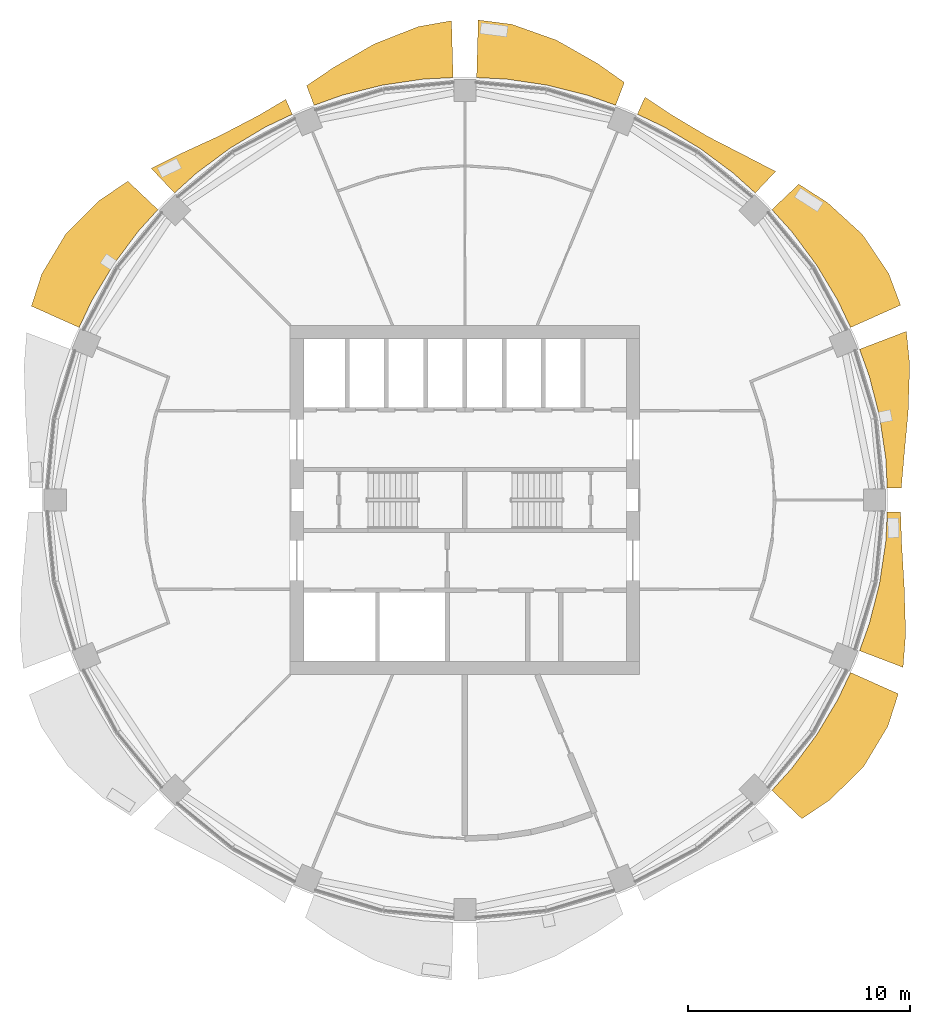
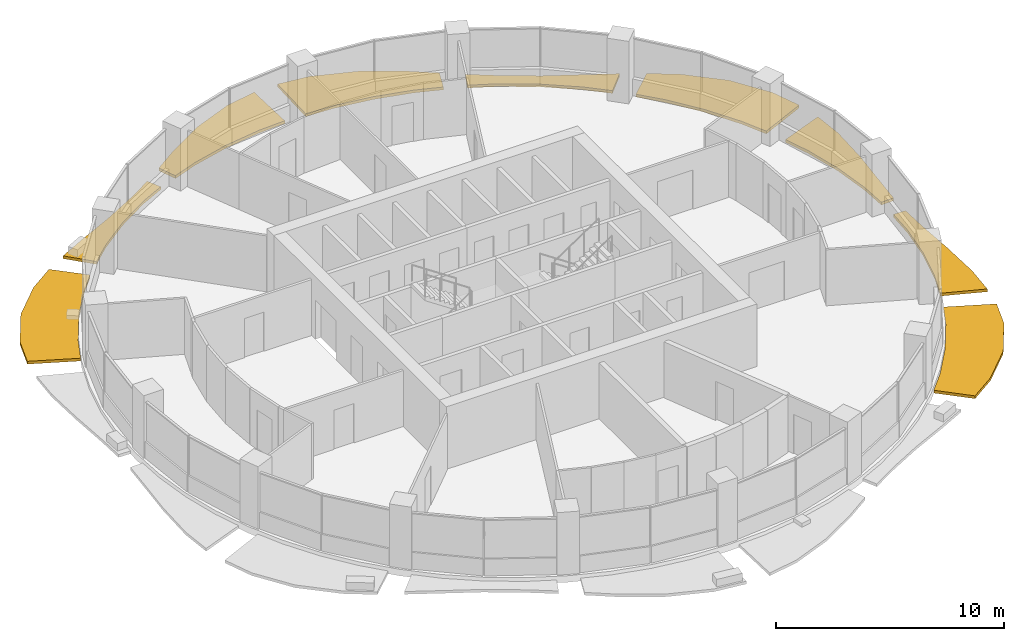
# One storey, part 14 of 15: 9 shading devices.
"""IFC4 building model written with IfcOpenShell, lengths in metres."""

import ifcopenshell
import ifcopenshell.guid

model = None  # the IFC model being written
_history = None  # IfcOwnerHistory: only IFC2X3 demands one
_inside = {}  # id of a spatial element -> (the spatial element, [elements in it])
_under = {}  # id of a project, library or spatial element -> (it, [spatial elements below it])
_declared = {}  # id of a project -> (the project, [libraries it declares])
_typed = {}  # id of a type object -> (the type object, [elements of that type])
_made_of = {}  # id of a material, layer set ... -> (it, [elements and type objects made of it])


def new_model(schema):
    """Start an empty IFC model of exactly this schema.

    Asked for "IFC4X3", IfcOpenShell would pick the latest addendum, in which some entities
    have other attributes; the version numbers below select the first issue.
    IFC2X3 requires an IfcOwnerHistory on every rooted entity: one is made here for all.
    """
    global model, _history
    if schema == "IFC4X3":
        model = ifcopenshell.file(schema_version=(4, 3, 0, 0))
    else:
        model = ifcopenshell.file(schema=schema)
    _inside.clear()
    _under.clear()
    _declared.clear()
    _typed.clear()
    _made_of.clear()
    _history = None
    if model.schema == "IFC2X3":
        org = make("IfcOrganization", Name="unknown")
        user = make(
            "IfcPersonAndOrganization",
            ThePerson=make("IfcPerson", FamilyName="unknown"),
            TheOrganization=org,
        )
        app = make(
            "IfcApplication",
            ApplicationDeveloper=org,
            Version="unknown",
            ApplicationFullName="unknown",
            ApplicationIdentifier="unknown",
        )
        _history = make(
            "IfcOwnerHistory",
            OwningUser=user,
            OwningApplication=app,
            ChangeAction="ADDED",
            CreationDate=0,
        )
    return model


def make(cls, **values):
    """One entity of the class cls with the attributes given. An attribute that is None is left unset."""
    return model.create_entity(
        cls, **{name: value for name, value in values.items() if value is not None}
    )


def rooted(cls, **values):
    """An entity with a GlobalId (a new one), such as an element, a storey or a relation."""
    return make(cls, GlobalId=ifcopenshell.guid.new(), OwnerHistory=_history, **values)


def si_unit(unit_type, name, prefix=None):
    """IfcSIUnit, for example si_unit("LENGTHUNIT", "METRE", prefix="MILLI")."""
    return make("IfcSIUnit", UnitType=unit_type, Prefix=prefix, Name=name)


def assignment(units):
    """IfcUnitAssignment: the units of a project."""
    return None if units is None else make("IfcUnitAssignment", Units=units)


def point(xyz):
    """IfcCartesianPoint."""
    return None if xyz is None else make("IfcCartesianPoint", Coordinates=xyz)


def direction(xyz):
    """IfcDirection."""
    return None if xyz is None else make("IfcDirection", DirectionRatios=xyz)


def frame(location, z_axis=None, x_axis=None):
    """IfcAxis2Placement3D, a coordinate frame: its origin and axes. An axis left out is left unset."""
    return make(
        "IfcAxis2Placement3D",
        Location=point(location),
        Axis=direction(z_axis),
        RefDirection=direction(x_axis),
    )


def origin():
    """The frame at (0, 0, 0) with its axes left unset."""
    return frame((0.0, 0.0, 0.0))


def place(relative_to, where):
    """IfcLocalPlacement: puts the frame where relative to a parent placement (None: the world)."""
    return make(
        "IfcLocalPlacement", PlacementRelTo=relative_to, RelativePlacement=where
    )


def context(
    kind, dimensions, precision=None, world=None, true_north=None, identifier=None
):
    """IfcGeometricRepresentationContext, for example the 3D "Model" context."""
    return make(
        "IfcGeometricRepresentationContext",
        ContextIdentifier=identifier,
        ContextType=kind,
        CoordinateSpaceDimension=dimensions,
        Precision=precision,
        WorldCoordinateSystem=world,
        TrueNorth=true_north,
    )


def subcontext(parent, identifier, kind, view, scale=None):
    """IfcGeometricRepresentationSubContext, for example "Body" below "Model"."""
    return make(
        "IfcGeometricRepresentationSubContext",
        ContextIdentifier=identifier,
        ContextType=kind,
        ParentContext=parent,
        TargetScale=scale,
        TargetView=view,
    )


def project(units=None, contexts=None):
    """IfcProject with its units and contexts."""
    return rooted(
        "IfcProject",
        Name="project",
        RepresentationContexts=contexts,
        UnitsInContext=assignment(units),
    )


def spatial(cls, under=None, at=None, **own):
    """A site, building, storey or space (cls), placed at a placement, below another one or the project."""
    s = rooted(cls, ObjectPlacement=at, **own)
    if under is not None:
        _under.setdefault(under.id(), (under, []))[1].append(s)
    return s


def polyline(points):
    """IfcPolyline through the points."""
    return make("IfcPolyline", Points=[point(p) for p in points])


def outline(outer, holes=None, kind="AREA"):
    """IfcArbitraryClosedProfileDef: a profile drawn as a closed curve; with holes, ...WithVoids."""
    if holes is None:
        return make("IfcArbitraryClosedProfileDef", ProfileType=kind, OuterCurve=outer)
    return make(
        "IfcArbitraryProfileDefWithVoids",
        ProfileType=kind,
        OuterCurve=outer,
        InnerCurves=holes,
    )


def extrude(swept, where, along, depth):
    """IfcExtrudedAreaSolid: the profile swept, set in the frame where, extruded along a direction by depth."""
    return make(
        "IfcExtrudedAreaSolid",
        SweptArea=swept,
        Position=where,
        ExtrudedDirection=direction(along),
        Depth=depth,
    )


def shape(context_of_items, identifier, shape_type, items):
    """IfcShapeRepresentation: the items that make up one representation, for example the "Body"."""
    return make(
        "IfcShapeRepresentation",
        ContextOfItems=context_of_items,
        RepresentationIdentifier=identifier,
        RepresentationType=shape_type,
        Items=items,
    )


def material(Name=None, Category=None):
    """IfcMaterial."""
    return make("IfcMaterial", Name=Name, Category=Category)


def made_of(thing, what):
    """Note that an element or type object is made of a material, layer set ...; save() writes the relation."""
    if what is not None:
        _made_of.setdefault(what.id(), (what, []))[1].append(thing)
    return thing


def type_object(cls, material=None, **own):
    """A type object (cls), such as IfcWallType, which elements share."""
    return made_of(rooted(cls, **own), material)


def element(
    cls,
    number,
    at=None,
    inside=None,
    cuts=None,
    type_object=None,
    material=None,
    context=None,
    identifier="Body",
    shape_type=None,
    held_by="IfcProductDefinitionShape",
    body=None,
    shapes=None,
    **own,
):
    """One element of the class cls, such as IfcWall. Its Tag is "e" and its number.

    at: its placement. inside: the storey or other place that contains it. cuts: it is an
    opening in that element (IfcRelVoidsElement). A single representation is given by context,
    identifier, shape_type and body (its items); several are given by shapes. held_by: the class
    of the entity that holds the representations. save() writes the other relations.
    """
    e = rooted(cls, Tag="e%d" % number, ObjectPlacement=at, **own)
    if body is not None:
        shapes = [shape(context, identifier, shape_type, body)]
    if shapes is not None:
        e.Representation = make(held_by, Representations=shapes)
    if inside is not None:
        _inside.setdefault(inside.id(), (inside, []))[1].append(e)
    if cuts is not None:
        rooted(
            "IfcRelVoidsElement", RelatingBuildingElement=cuts, RelatedOpeningElement=e
        )
    if type_object is not None:
        _typed.setdefault(type_object.id(), (type_object, []))[1].append(e)
    return made_of(e, material)


def aggregate(whole, parts):
    """IfcRelAggregates: a whole, such as a stair, and the parts it consists of."""
    return rooted("IfcRelAggregates", RelatingObject=whole, RelatedObjects=parts)


def save(model, path):
    """Write the relations noted so far, then the file.

    IfcRelAggregates (storeys below a building ...), IfcRelContainedInSpatialStructure (elements
    in a storey), IfcRelDefinesByType, IfcRelAssociatesMaterial and IfcRelDeclares: one each for
    every whole, place, type object, material and project.
    """
    for whole, parts in _under.values():
        aggregate(whole, parts)
    for where, things in _inside.values():
        rooted(
            "IfcRelContainedInSpatialStructure",
            RelatedElements=things,
            RelatingStructure=where,
        )
    for kind, things in _typed.values():
        rooted("IfcRelDefinesByType", RelatedObjects=things, RelatingType=kind)
    for what, things in _made_of.values():
        rooted("IfcRelAssociatesMaterial", RelatedObjects=things, RelatingMaterial=what)
    for by, libraries in _declared.values():
        rooted("IfcRelDeclares", RelatingContext=by, RelatedDefinitions=libraries)
    model.write(path)


model = new_model("IFC4")

# Units and contexts
model_context = context("Model", 3, precision=1e-05, world=origin(), true_north=direction((0.0, 1.0)))
body_context = subcontext(model_context, "Body", "Model", "MODEL_VIEW")
ifc_project = project(units=[si_unit("LENGTHUNIT", "METRE"), si_unit("AREAUNIT", "SQUARE_METRE"), si_unit("VOLUMEUNIT", "CUBIC_METRE"), si_unit("PLANEANGLEUNIT", "RADIAN"), si_unit("MASSUNIT", "GRAM", prefix="KILO")], contexts=[model_context])

# Site, building, storey
site_placement = place(None, origin())
site = spatial("IfcSite", under=ifc_project, at=site_placement, CompositionType="ELEMENT")
building_placement = place(site_placement, origin())
building = spatial("IfcBuilding", under=site, at=building_placement, Name="Polderwave Tower", CompositionType="ELEMENT")
storey_placement = place(building_placement, frame((0.0, 0.0, 120.949951171875)))
storey = spatial("IfcBuildingStorey", under=building, at=storey_placement, Name="L31", CompositionType="ELEMENT", Elevation=120.949951171875)

# Shading devices
ifc_material = material(Name="Terracotta", Category="masonry")
shading_device_type = type_object("IfcShadingDeviceType", Name="Terracotta sunshade band", PredefinedType="USERDEFINED", material=ifc_material)
shading_device_1_placement = place(storey_placement, frame((0.0, 0.0, -0.349853515625)))
element("IfcShadingDevice", 1, at=shading_device_1_placement, inside=storey, type_object=shading_device_type, Name="Sunshade band L31 1", ObjectType="SUNSHADE", PredefinedType="USERDEFINED", context=body_context, shape_type="SweptSolid", body=[
    extrude(outline(polyline([(19.033935546875, 0.52978515625), (18.96826171875, 1.8681640625), (18.69384765625, 3.718505859375), (18.2392578125, 5.53271484375), (17.787841796875, 6.79443359375), (19.8955078125, 7.599609375), (20.04736328125, 6.081298828125), (19.9775390625, 3.973876953125), (19.790771484375, 1.94921875), (19.66845703125, 0.547607421875), (19.033935546875, 0.52978515625)])), origin(), (0.0, 0.0, 1.0), 0.14990234375),
])
shading_device_2_placement = place(storey_placement, frame((0.0, 0.0, -0.349853515625)))
element("IfcShadingDevice", 2, at=shading_device_2_placement, inside=storey, type_object=shading_device_type, Name="Sunshade band L31 2", ObjectType="SUNSHADE", PredefinedType="USERDEFINED", context=body_context, shape_type="SweptSolid", body=[
    extrude(outline(polyline([(17.38232421875, 7.7734375), (16.809326171875, 8.98486328125), (15.847900390625, 10.589111328125), (14.733642578125, 12.091552734375), (13.833740234375, 13.08447265625), (15.046630859375, 14.231689453125), (16.33544921875, 13.406005859375), (17.911865234375, 11.96826171875), (19.09814453125, 10.2080078125), (19.634521484375, 8.78076171875), (17.38232421875, 7.7734375)])), origin(), (0.0, 0.0, 1.0), 0.14990234375),
])
shading_device_3_placement = place(storey_placement, frame((0.0, 0.0, -0.349853515625)))
element("IfcShadingDevice", 3, at=shading_device_3_placement, inside=storey, type_object=shading_device_type, Name="Sunshade band L31 3", ObjectType="SUNSHADE", PredefinedType="USERDEFINED", context=body_context, shape_type="SweptSolid", body=[
    extrude(outline(polyline([(13.08447265625, 13.833740234375), (12.091552734375, 14.733642578125), (10.589111328125, 15.847900390625), (8.98486328125, 16.809326171875), (7.7734375, 17.38232421875), (8.11865234375, 18.154052734375), (9.287841796875, 17.376220703125), (10.946533203125, 16.3828125), (12.70458984375, 15.48046875), (14.00439453125, 14.806396484375), (13.08447265625, 13.833740234375)])), origin(), (0.0, 0.0, 1.0), 0.14990234375),
])
shading_device_4_placement = place(storey_placement, frame((0.0, 0.0, -0.349853515625)))
element("IfcShadingDevice", 4, at=shading_device_4_placement, inside=storey, type_object=shading_device_type, Name="Sunshade band L31 4", ObjectType="SUNSHADE", PredefinedType="USERDEFINED", context=body_context, shape_type="SweptSolid", body=[
    extrude(outline(polyline([(6.79443359375, 17.787841796875), (5.53271484375, 18.2392578125), (3.718505859375, 18.69384765625), (1.8681640625, 18.96826171875), (0.52978515625, 19.033935546875), (0.602294921875, 21.630615234375), (2.111328125, 21.437744140625), (4.122314453125, 20.724609375), (5.968505859375, 19.67578125), (7.187744140625, 18.8173828125), (6.79443359375, 17.787841796875)])), origin(), (0.0, 0.0, 1.0), 0.14990234375),
])
shading_device_5_placement = place(storey_placement, frame((0.0, 0.0, -0.349853515625)))
element("IfcShadingDevice", 5, at=shading_device_5_placement, inside=storey, type_object=shading_device_type, Name="Sunshade band L31 5", ObjectType="SUNSHADE", PredefinedType="USERDEFINED", context=body_context, shape_type="SweptSolid", body=[
    extrude(outline(polyline([(-0.52978515625, 19.033935546875), (-1.8681640625, 18.96826171875), (-3.718505859375, 18.69384765625), (-5.53271484375, 18.2392578125), (-6.79443359375, 17.787841796875), (-7.131103515625, 18.669677734375), (-5.913330078125, 19.493408203125), (-4.08740234375, 20.548583984375), (-2.100830078125, 21.330322265625), (-0.601318359375, 21.59814453125), (-0.52978515625, 19.033935546875)])), origin(), (0.0, 0.0, 1.0), 0.14990234375),
])
shading_device_6_placement = place(storey_placement, frame((0.0, 0.0, -0.349853515625)))
element("IfcShadingDevice", 6, at=shading_device_6_placement, inside=storey, type_object=shading_device_type, Name="Sunshade band L31 6", ObjectType="SUNSHADE", PredefinedType="USERDEFINED", context=body_context, shape_type="SweptSolid", body=[
    extrude(outline(polyline([(-7.7734375, 17.38232421875), (-8.98486328125, 16.809326171875), (-10.589111328125, 15.847900390625), (-12.091552734375, 14.733642578125), (-13.08447265625, 13.833740234375), (-14.135986328125, 14.945556640625), (-12.806884765625, 15.60546875), (-10.98779296875, 16.444580078125), (-9.27001953125, 17.343017578125), (-8.07275390625, 18.05126953125), (-7.7734375, 17.38232421875)])), origin(), (0.0, 0.0, 1.0), 0.14990234375),
])
shading_device_7_placement = place(storey_placement, frame((0.0, 0.0, -0.349853515625)))
element("IfcShadingDevice", 7, at=shading_device_7_placement, inside=storey, type_object=shading_device_type, Name="Sunshade band L31 7", ObjectType="SUNSHADE", PredefinedType="USERDEFINED", context=body_context, shape_type="SweptSolid", body=[
    extrude(outline(polyline([(-13.833740234375, 13.08447265625), (-14.733642578125, 12.091552734375), (-15.847900390625, 10.589111328125), (-16.809326171875, 8.98486328125), (-17.38232421875, 7.7734375), (-19.53173828125, 8.73486328125), (-19.064697265625, 10.190185546875), (-17.9736328125, 12.009521484375), (-16.460205078125, 13.508544921875), (-15.18603515625, 14.36328125), (-13.833740234375, 13.08447265625)])), origin(), (0.0, 0.0, 1.0), 0.14990234375),
])
shading_device_8_placement = place(storey_placement, frame((0.0, 0.0, -0.349853515625)))
element("IfcShadingDevice", 8, at=shading_device_8_placement, inside=storey, type_object=shading_device_type, Name="Sunshade band L31 15", ObjectType="SUNSHADE", PredefinedType="USERDEFINED", context=body_context, shape_type="SweptSolid", body=[
    extrude(outline(polyline([(13.833740234375, -13.08447265625), (14.733642578125, -12.091552734375), (15.847900390625, -10.589111328125), (16.809326171875, -8.98486328125), (17.38232421875, -7.7734375), (19.53173828125, -8.73486328125), (19.064697265625, -10.190185546875), (17.9736328125, -12.009521484375), (16.460205078125, -13.508544921875), (15.18603515625, -14.36328125), (13.833740234375, -13.08447265625)])), origin(), (0.0, 0.0, 1.0), 0.14990234375),
])
shading_device_9_placement = place(storey_placement, frame((0.0, 0.0, -0.349853515625)))
element("IfcShadingDevice", 9, at=shading_device_9_placement, inside=storey, type_object=shading_device_type, Name="Sunshade band L31 16", ObjectType="SUNSHADE", PredefinedType="USERDEFINED", context=body_context, shape_type="SweptSolid", body=[
    extrude(outline(polyline([(17.787841796875, -6.79443359375), (18.2392578125, -5.53271484375), (18.69384765625, -3.718505859375), (18.96826171875, -1.8681640625), (19.033935546875, -0.52978515625), (19.63623046875, -0.546630859375), (19.68310546875, -1.938720703125), (19.801513671875, -3.938720703125), (19.864990234375, -6.02587890625), (19.74755859375, -7.54296875), (17.787841796875, -6.79443359375)])), origin(), (0.0, 0.0, 1.0), 0.14990234375),
])

save(model, "model.ifc")
